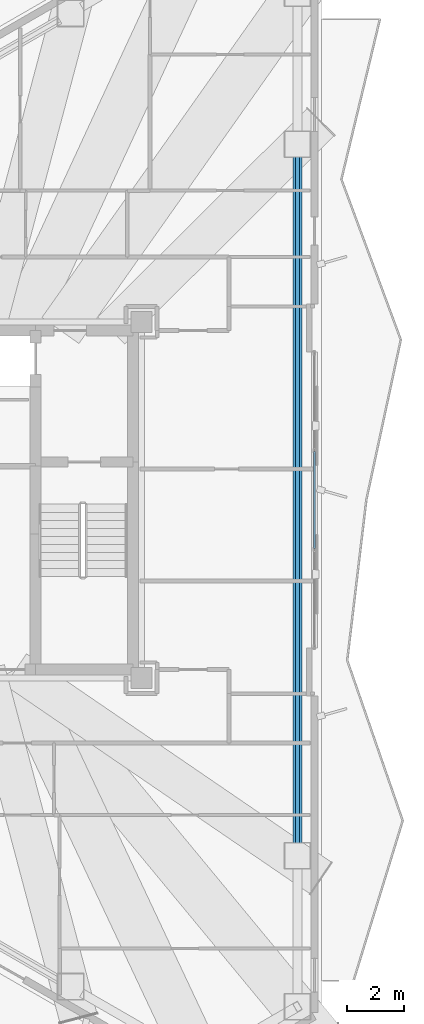
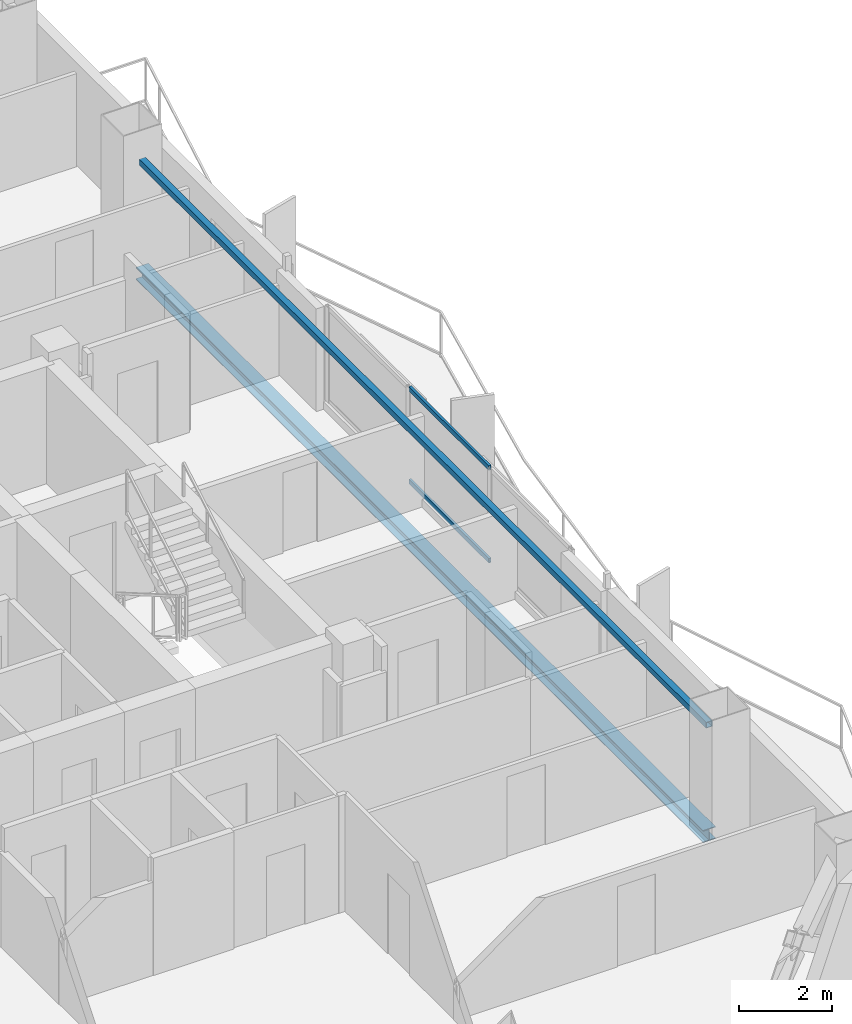
# One storey, part 9 of 21: 2 beams, 2 members, 1 element without a shape of its own.
"""IFC4 building model written with IfcOpenShell, lengths in metres."""

from ifc_helpers import new_model, si_unit, direction, frame, origin, origin_2d, place, context, subcontext, project, spatial, hollow_rectangle, i_section, extrude, material, layer, layer_set, material_profile, profile_set, type_object, element, aggregate, save


model = new_model("IFC4")

# Units and contexts
model_context = context("Model", 3, precision=1e-05, world=origin(), true_north=direction((0.0, 1.0)))
body_context = subcontext(model_context, "Body", "Model", "MODEL_VIEW")
ifc_project = project(units=[si_unit("LENGTHUNIT", "METRE"), si_unit("AREAUNIT", "SQUARE_METRE"), si_unit("VOLUMEUNIT", "CUBIC_METRE"), si_unit("PLANEANGLEUNIT", "RADIAN"), si_unit("MASSUNIT", "GRAM", prefix="KILO")], contexts=[model_context])

# Site, building, storey
site_placement = place(None, origin())
site = spatial("IfcSite", under=ifc_project, at=site_placement, CompositionType="ELEMENT")
building_placement = place(site_placement, origin())
building = spatial("IfcBuilding", under=site, at=building_placement, Name="Mersakhor Tower and Convention Hall", CompositionType="ELEMENT")
storey_placement = place(building_placement, frame((0.0, 0.0, 121.199951171875)))
storey = spatial("IfcBuildingStorey", under=building, at=storey_placement, Name="L33", CompositionType="ELEMENT", Elevation=121.199951171875)

# Beams
ifc_material_1 = material(Name="Steel S355", Category="steel")
ifc_material_profile_1 = material_profile(ifc_material_1, hollow_rectangle(XDim=0.14990234375, YDim=0.14990234375, WallThickness=0.010009765625, at=origin_2d()), Name="SHS 150x150x10")
ifc_profile_set_1 = profile_set([ifc_material_profile_1], Name="Steel S355")
beam_type_1 = type_object("IfcBeamType", Name="BM-GRT-SHS150", PredefinedType="USERDEFINED", material=ifc_profile_set_1)
beam_1_placement = place(storey_placement, frame((41.619140625, 38.8837890625, 2.47998046875), z_axis=(0.0, -1.0, 0.0), x_axis=(1.0, 0.0, 0.0)))
element("IfcBeam", 1, at=beam_1_placement, inside=storey, type_object=beam_type_1, Name="L33 Facade Support Girt GRT-F2", ObjectType="GIRT", PredefinedType="USERDEFINED", context=body_context, shape_type="SweptSolid", body=[
    extrude(hollow_rectangle(XDim=0.14990234375, YDim=0.14990234375, WallThickness=0.010009765625, at=origin_2d()), origin(), (0.0, 0.0, 1.0), 24.267578125),
])
ifc_material_2 = material(Name="Steel S355", Category="steel")
ifc_material_profile_2 = material_profile(ifc_material_2, i_section(OverallWidth=0.30908203125, OverallDepth=0.320556640625, WebThickness=0.013916015625, FlangeThickness=0.021728515625, at=origin_2d()), Name="UC 305x305x137")
ifc_profile_set_2 = profile_set([ifc_material_profile_2], Name="Steel S355")
beam_type_2 = type_object("IfcBeamType", Name="BM-SPD-UC305", PredefinedType="SPANDREL", material=ifc_profile_set_2)
beam_2_placement = place(storey_placement, frame((41.619140625, 38.8837890625, -0.400146484375), z_axis=(0.0, -1.0, 0.0), x_axis=(1.0, 0.0, 0.0)))
element("IfcBeam", 2, at=beam_2_placement, inside=storey, type_object=beam_type_2, Name="L33 Perimeter Spandrel Beam SPB-06", PredefinedType="SPANDREL", context=body_context, shape_type="SweptSolid", body=[
    extrude(i_section(OverallWidth=0.30908203125, OverallDepth=0.320556640625, WebThickness=0.013916015625, FlangeThickness=0.021728515625, at=origin_2d()), origin(), (0.0, 0.0, 1.0), 24.267578125),
])

# Curtain wall, members
ifc_material_3 = material(Name="Dark solar low-E aluminium curtain wall", Category="aluminium")
ifc_layer = layer(ifc_material_3, 0.169921875)
ifc_layer_set = layer_set([ifc_layer], Name="Dark solar low-E aluminium curtain wall")
curtain_wall_type = type_object("IfcCurtainWallType", Name="CW-SYS-02", PredefinedType="USERDEFINED", material=ifc_layer_set)
curtain_wall_placement = place(storey_placement, origin())
curtain_wall = element("IfcCurtainWall", 3, at=curtain_wall_placement, inside=storey, type_object=curtain_wall_type, Name="L33 Dark-Glass Curtain Wall F2-B2", ObjectType="CURTAIN WALL", PredefinedType="USERDEFINED")
ifc_material_4 = material(Name="Anodised aluminium EN AW-6063 T6", Category="aluminium")
ifc_material_profile_3 = material_profile(ifc_material_4, hollow_rectangle(XDim=0.06005859375, YDim=0.1201171875, WallThickness=0.0048828125, at=origin_2d()), Name="RHS 120x60x5")
ifc_profile_set_3 = profile_set([ifc_material_profile_3], Name="Anodised aluminium EN AW-6063 T6")
member_type = type_object("IfcMemberType", Name="CWT-120x60", PredefinedType="USERDEFINED", material=ifc_profile_set_3)
member_1_placement = place(storey_placement, frame((42.21923828125, 28.460205078125, 0.22998046875), z_axis=(0.0, -1.0, 0.0), x_axis=(1.0, 0.0, 0.0)))
member_1 = element("IfcMember", 4, at=member_1_placement, type_object=member_type, Name="CW-02 transom 2.1", ObjectType="TRANSOM", PredefinedType="USERDEFINED", context=body_context, shape_type="SweptSolid", body=[
    extrude(hollow_rectangle(XDim=0.06005859375, YDim=0.1201171875, WallThickness=0.0048828125, at=origin_2d()), origin(), (0.0, 0.0, 1.0), 3.42041015625),
])
member_2_placement = place(storey_placement, frame((42.21923828125, 28.460205078125, 2.650146484375), z_axis=(0.0, -1.0, 0.0), x_axis=(1.0, 0.0, 0.0)))
member_2 = element("IfcMember", 5, at=member_2_placement, type_object=member_type, Name="CW-02 transom 2.2", ObjectType="TRANSOM", PredefinedType="USERDEFINED", context=body_context, shape_type="SweptSolid", body=[
    extrude(hollow_rectangle(XDim=0.06005859375, YDim=0.1201171875, WallThickness=0.0048828125, at=origin_2d()), origin(), (0.0, 0.0, 1.0), 3.42041015625),
])
aggregate(curtain_wall, [member_1, member_2])

save(model, "model.ifc")
